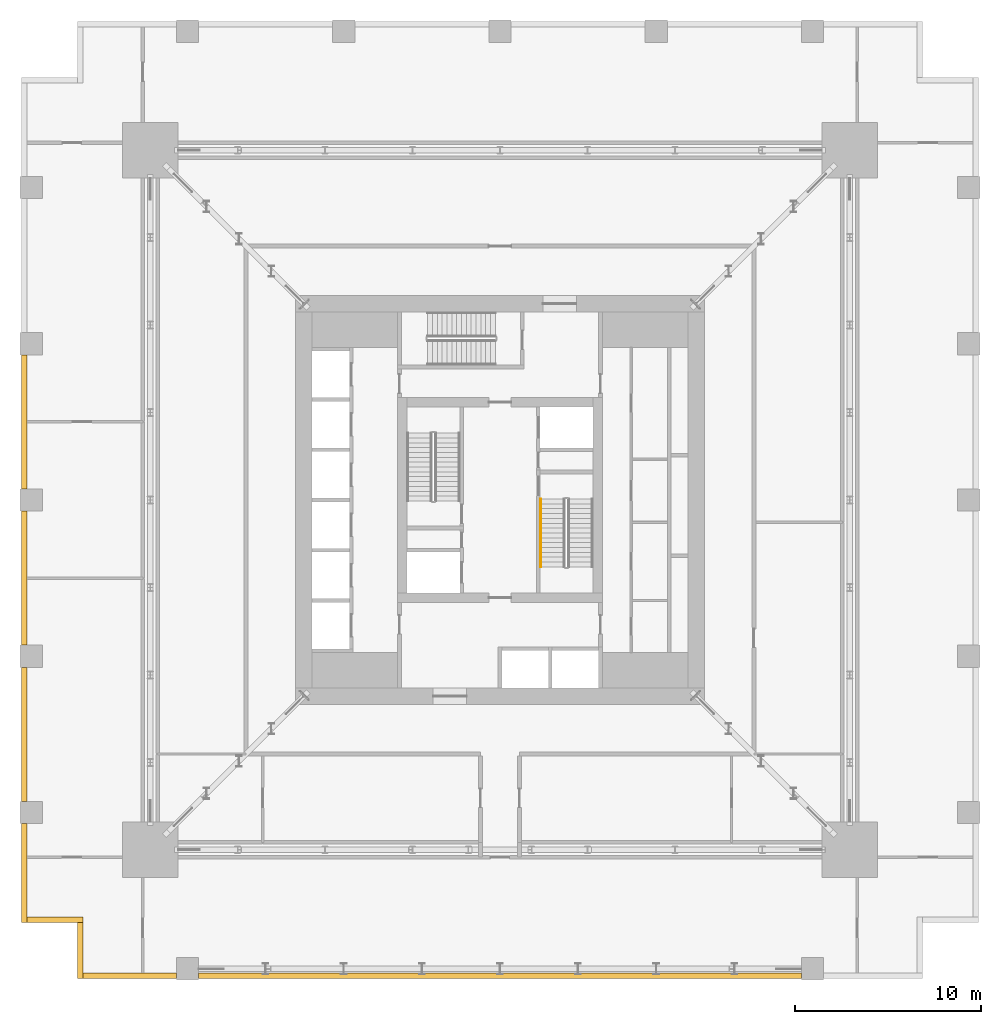
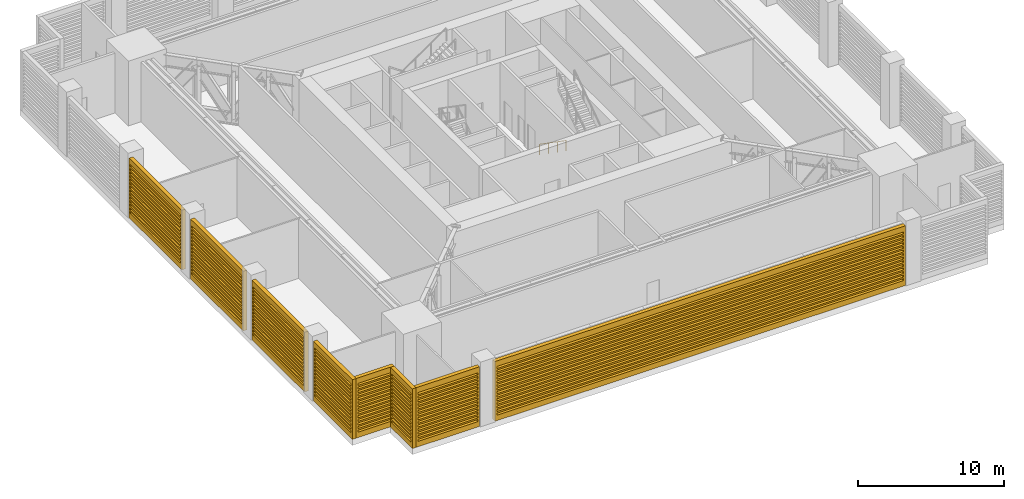
# One storey, part 13 of 17: 8 shading devices, 1 railing.
"""IFC4 building model written with IfcOpenShell, lengths in metres."""

from ifc_helpers import new_model, si_unit, direction, frame, origin, origin_2d, place, context, subcontext, project, spatial, polyline, rectangle, outline, extrude, material, type_object, element, save


model = new_model("IFC4")

# Units and contexts
model_context = context("Model", 3, precision=1e-05, world=origin(), true_north=direction((0.0, 1.0)))
body_context = subcontext(model_context, "Body", "Model", "MODEL_VIEW")
ifc_project = project(units=[si_unit("LENGTHUNIT", "METRE"), si_unit("AREAUNIT", "SQUARE_METRE"), si_unit("VOLUMEUNIT", "CUBIC_METRE"), si_unit("PLANEANGLEUNIT", "RADIAN"), si_unit("MASSUNIT", "GRAM", prefix="KILO")], contexts=[model_context])

# Site, building, storey
site_placement = place(None, origin())
site = spatial("IfcSite", under=ifc_project, at=site_placement, CompositionType="ELEMENT")
building_placement = place(site_placement, origin())
building = spatial("IfcBuilding", under=site, at=building_placement, Name="Khepri Terraces", CompositionType="ELEMENT")
storey_placement = place(building_placement, frame((0.0, 0.0, 73.800048828125)))
storey = spatial("IfcBuildingStorey", under=building, at=storey_placement, Name="L17", CompositionType="ELEMENT", Elevation=73.800048828125)

# Shading devices
ifc_material_1 = material(Name="Anodised aluminium bronze", Category="aluminium")
shading_device_type = type_object("IfcShadingDeviceType", Name="LVR-PLANT-300", PredefinedType="USERDEFINED", material=ifc_material_1)
shading_device_1_placement = place(storey_placement, frame((-25.419921875, 7.800048828125, 0.0), z_axis=(-1.0, 0.0, 0.0), x_axis=(0.0, -1.0, 0.0)))
element("IfcShadingDevice", 1, at=shading_device_1_placement, inside=storey, type_object=shading_device_type, Name="Louvre wall L17 W", ObjectType="LOUVRE", PredefinedType="USERDEFINED", context=body_context, shape_type="SweptSolid", body=[
    extrude(outline(polyline([(0.0, 0.0), (7.199951171875, 0.0), (7.199951171875, 4.97998046875), (0.0, 4.97998046875), (0.0, 0.0)]), holes=[polyline([(0.14990234375, 0.449951171875), (7.050048828125, 0.449951171875), (7.050048828125, 0.6201171875), (0.14990234375, 0.6201171875), (0.14990234375, 0.449951171875)]), polyline([(0.14990234375, 0.75), (7.050048828125, 0.75), (7.050048828125, 0.919921875), (0.14990234375, 0.919921875), (0.14990234375, 0.75)]), polyline([(0.14990234375, 1.050048828125), (7.050048828125, 1.050048828125), (7.050048828125, 1.219970703125), (0.14990234375, 1.219970703125), (0.14990234375, 1.050048828125)]), polyline([(0.14990234375, 1.35009765625), (7.050048828125, 1.35009765625), (7.050048828125, 1.52001953125), (0.14990234375, 1.52001953125), (0.14990234375, 1.35009765625)]), polyline([(0.14990234375, 1.64990234375), (7.050048828125, 1.64990234375), (7.050048828125, 1.820068359375), (0.14990234375, 1.820068359375), (0.14990234375, 1.64990234375)]), polyline([(0.14990234375, 1.949951171875), (7.050048828125, 1.949951171875), (7.050048828125, 2.1201171875), (0.14990234375, 2.1201171875), (0.14990234375, 1.949951171875)]), polyline([(0.14990234375, 2.25), (7.050048828125, 2.25), (7.050048828125, 2.419921875), (0.14990234375, 2.419921875), (0.14990234375, 2.25)]), polyline([(0.14990234375, 2.550048828125), (7.050048828125, 2.550048828125), (7.050048828125, 2.719970703125), (0.14990234375, 2.719970703125), (0.14990234375, 2.550048828125)]), polyline([(0.14990234375, 2.85009765625), (7.050048828125, 2.85009765625), (7.050048828125, 3.02001953125), (0.14990234375, 3.02001953125), (0.14990234375, 2.85009765625)]), polyline([(0.14990234375, 3.14990234375), (7.050048828125, 3.14990234375), (7.050048828125, 3.320068359375), (0.14990234375, 3.320068359375), (0.14990234375, 3.14990234375)]), polyline([(0.14990234375, 3.449951171875), (7.050048828125, 3.449951171875), (7.050048828125, 3.6201171875), (0.14990234375, 3.6201171875), (0.14990234375, 3.449951171875)]), polyline([(0.14990234375, 3.75), (7.050048828125, 3.75), (7.050048828125, 3.919921875), (0.14990234375, 3.919921875), (0.14990234375, 3.75)]), polyline([(0.14990234375, 4.050048828125), (7.050048828125, 4.050048828125), (7.050048828125, 4.219970703125), (0.14990234375, 4.219970703125), (0.14990234375, 4.050048828125)]), polyline([(0.14990234375, 4.35009765625), (7.050048828125, 4.35009765625), (7.050048828125, 4.52001953125), (0.14990234375, 4.52001953125), (0.14990234375, 4.35009765625)])]), origin(), (0.0, 0.0, 1.0), 0.300048828125),
])
shading_device_2_placement = place(storey_placement, frame((-25.419921875, -0.60009765625, 0.0), z_axis=(-1.0, 0.0, 0.0), x_axis=(0.0, -1.0, 0.0)))
element("IfcShadingDevice", 2, at=shading_device_2_placement, inside=storey, type_object=shading_device_type, Name="Louvre wall L17 W", ObjectType="LOUVRE", PredefinedType="USERDEFINED", context=body_context, shape_type="SweptSolid", body=[
    extrude(outline(polyline([(0.0, 0.0), (7.199951171875, 0.0), (7.199951171875, 4.97998046875), (0.0, 4.97998046875), (0.0, 0.0)]), holes=[polyline([(0.14990234375, 0.449951171875), (7.050048828125, 0.449951171875), (7.050048828125, 0.6201171875), (0.14990234375, 0.6201171875), (0.14990234375, 0.449951171875)]), polyline([(0.14990234375, 0.75), (7.050048828125, 0.75), (7.050048828125, 0.919921875), (0.14990234375, 0.919921875), (0.14990234375, 0.75)]), polyline([(0.14990234375, 1.050048828125), (7.050048828125, 1.050048828125), (7.050048828125, 1.219970703125), (0.14990234375, 1.219970703125), (0.14990234375, 1.050048828125)]), polyline([(0.14990234375, 1.35009765625), (7.050048828125, 1.35009765625), (7.050048828125, 1.52001953125), (0.14990234375, 1.52001953125), (0.14990234375, 1.35009765625)]), polyline([(0.14990234375, 1.64990234375), (7.050048828125, 1.64990234375), (7.050048828125, 1.820068359375), (0.14990234375, 1.820068359375), (0.14990234375, 1.64990234375)]), polyline([(0.14990234375, 1.949951171875), (7.050048828125, 1.949951171875), (7.050048828125, 2.1201171875), (0.14990234375, 2.1201171875), (0.14990234375, 1.949951171875)]), polyline([(0.14990234375, 2.25), (7.050048828125, 2.25), (7.050048828125, 2.419921875), (0.14990234375, 2.419921875), (0.14990234375, 2.25)]), polyline([(0.14990234375, 2.550048828125), (7.050048828125, 2.550048828125), (7.050048828125, 2.719970703125), (0.14990234375, 2.719970703125), (0.14990234375, 2.550048828125)]), polyline([(0.14990234375, 2.85009765625), (7.050048828125, 2.85009765625), (7.050048828125, 3.02001953125), (0.14990234375, 3.02001953125), (0.14990234375, 2.85009765625)]), polyline([(0.14990234375, 3.14990234375), (7.050048828125, 3.14990234375), (7.050048828125, 3.320068359375), (0.14990234375, 3.320068359375), (0.14990234375, 3.14990234375)]), polyline([(0.14990234375, 3.449951171875), (7.050048828125, 3.449951171875), (7.050048828125, 3.6201171875), (0.14990234375, 3.6201171875), (0.14990234375, 3.449951171875)]), polyline([(0.14990234375, 3.75), (7.050048828125, 3.75), (7.050048828125, 3.919921875), (0.14990234375, 3.919921875), (0.14990234375, 3.75)]), polyline([(0.14990234375, 4.050048828125), (7.050048828125, 4.050048828125), (7.050048828125, 4.219970703125), (0.14990234375, 4.219970703125), (0.14990234375, 4.050048828125)]), polyline([(0.14990234375, 4.35009765625), (7.050048828125, 4.35009765625), (7.050048828125, 4.52001953125), (0.14990234375, 4.52001953125), (0.14990234375, 4.35009765625)])]), origin(), (0.0, 0.0, 1.0), 0.300048828125),
])
shading_device_3_placement = place(storey_placement, frame((-25.419921875, -9.0, 0.0), z_axis=(-1.0, 0.0, 0.0), x_axis=(0.0, -1.0, 0.0)))
element("IfcShadingDevice", 3, at=shading_device_3_placement, inside=storey, type_object=shading_device_type, Name="Louvre wall L17 W", ObjectType="LOUVRE", PredefinedType="USERDEFINED", context=body_context, shape_type="SweptSolid", body=[
    extrude(outline(polyline([(0.0, 0.0), (7.199951171875, 0.0), (7.199951171875, 4.97998046875), (0.0, 4.97998046875), (0.0, 0.0)]), holes=[polyline([(0.14990234375, 0.449951171875), (7.050048828125, 0.449951171875), (7.050048828125, 0.6201171875), (0.14990234375, 0.6201171875), (0.14990234375, 0.449951171875)]), polyline([(0.14990234375, 0.75), (7.050048828125, 0.75), (7.050048828125, 0.919921875), (0.14990234375, 0.919921875), (0.14990234375, 0.75)]), polyline([(0.14990234375, 1.050048828125), (7.050048828125, 1.050048828125), (7.050048828125, 1.219970703125), (0.14990234375, 1.219970703125), (0.14990234375, 1.050048828125)]), polyline([(0.14990234375, 1.35009765625), (7.050048828125, 1.35009765625), (7.050048828125, 1.52001953125), (0.14990234375, 1.52001953125), (0.14990234375, 1.35009765625)]), polyline([(0.14990234375, 1.64990234375), (7.050048828125, 1.64990234375), (7.050048828125, 1.820068359375), (0.14990234375, 1.820068359375), (0.14990234375, 1.64990234375)]), polyline([(0.14990234375, 1.949951171875), (7.050048828125, 1.949951171875), (7.050048828125, 2.1201171875), (0.14990234375, 2.1201171875), (0.14990234375, 1.949951171875)]), polyline([(0.14990234375, 2.25), (7.050048828125, 2.25), (7.050048828125, 2.419921875), (0.14990234375, 2.419921875), (0.14990234375, 2.25)]), polyline([(0.14990234375, 2.550048828125), (7.050048828125, 2.550048828125), (7.050048828125, 2.719970703125), (0.14990234375, 2.719970703125), (0.14990234375, 2.550048828125)]), polyline([(0.14990234375, 2.85009765625), (7.050048828125, 2.85009765625), (7.050048828125, 3.02001953125), (0.14990234375, 3.02001953125), (0.14990234375, 2.85009765625)]), polyline([(0.14990234375, 3.14990234375), (7.050048828125, 3.14990234375), (7.050048828125, 3.320068359375), (0.14990234375, 3.320068359375), (0.14990234375, 3.14990234375)]), polyline([(0.14990234375, 3.449951171875), (7.050048828125, 3.449951171875), (7.050048828125, 3.6201171875), (0.14990234375, 3.6201171875), (0.14990234375, 3.449951171875)]), polyline([(0.14990234375, 3.75), (7.050048828125, 3.75), (7.050048828125, 3.919921875), (0.14990234375, 3.919921875), (0.14990234375, 3.75)]), polyline([(0.14990234375, 4.050048828125), (7.050048828125, 4.050048828125), (7.050048828125, 4.219970703125), (0.14990234375, 4.219970703125), (0.14990234375, 4.050048828125)]), polyline([(0.14990234375, 4.35009765625), (7.050048828125, 4.35009765625), (7.050048828125, 4.52001953125), (0.14990234375, 4.52001953125), (0.14990234375, 4.35009765625)])]), origin(), (0.0, 0.0, 1.0), 0.300048828125),
])
shading_device_4_placement = place(storey_placement, frame((-25.419921875, -17.39990234375, 0.0), z_axis=(-1.0, 0.0, 0.0), x_axis=(0.0, -1.0, 0.0)))
element("IfcShadingDevice", 4, at=shading_device_4_placement, inside=storey, type_object=shading_device_type, Name="Louvre wall L17 W", ObjectType="LOUVRE", PredefinedType="USERDEFINED", context=body_context, shape_type="SweptSolid", body=[
    extrude(outline(polyline([(0.0, 0.0), (5.320068359375, 0.0), (5.320068359375, 4.97998046875), (0.0, 4.97998046875), (0.0, 0.0)]), holes=[polyline([(0.14990234375, 0.449951171875), (5.169921875, 0.449951171875), (5.169921875, 0.6201171875), (0.14990234375, 0.6201171875), (0.14990234375, 0.449951171875)]), polyline([(0.14990234375, 0.75), (5.169921875, 0.75), (5.169921875, 0.919921875), (0.14990234375, 0.919921875), (0.14990234375, 0.75)]), polyline([(0.14990234375, 1.050048828125), (5.169921875, 1.050048828125), (5.169921875, 1.219970703125), (0.14990234375, 1.219970703125), (0.14990234375, 1.050048828125)]), polyline([(0.14990234375, 1.35009765625), (5.169921875, 1.35009765625), (5.169921875, 1.52001953125), (0.14990234375, 1.52001953125), (0.14990234375, 1.35009765625)]), polyline([(0.14990234375, 1.64990234375), (5.169921875, 1.64990234375), (5.169921875, 1.820068359375), (0.14990234375, 1.820068359375), (0.14990234375, 1.64990234375)]), polyline([(0.14990234375, 1.949951171875), (5.169921875, 1.949951171875), (5.169921875, 2.1201171875), (0.14990234375, 2.1201171875), (0.14990234375, 1.949951171875)]), polyline([(0.14990234375, 2.25), (5.169921875, 2.25), (5.169921875, 2.419921875), (0.14990234375, 2.419921875), (0.14990234375, 2.25)]), polyline([(0.14990234375, 2.550048828125), (5.169921875, 2.550048828125), (5.169921875, 2.719970703125), (0.14990234375, 2.719970703125), (0.14990234375, 2.550048828125)]), polyline([(0.14990234375, 2.85009765625), (5.169921875, 2.85009765625), (5.169921875, 3.02001953125), (0.14990234375, 3.02001953125), (0.14990234375, 2.85009765625)]), polyline([(0.14990234375, 3.14990234375), (5.169921875, 3.14990234375), (5.169921875, 3.320068359375), (0.14990234375, 3.320068359375), (0.14990234375, 3.14990234375)]), polyline([(0.14990234375, 3.449951171875), (5.169921875, 3.449951171875), (5.169921875, 3.6201171875), (0.14990234375, 3.6201171875), (0.14990234375, 3.449951171875)]), polyline([(0.14990234375, 3.75), (5.169921875, 3.75), (5.169921875, 3.919921875), (0.14990234375, 3.919921875), (0.14990234375, 3.75)]), polyline([(0.14990234375, 4.050048828125), (5.169921875, 4.050048828125), (5.169921875, 4.219970703125), (0.14990234375, 4.219970703125), (0.14990234375, 4.050048828125)]), polyline([(0.14990234375, 4.35009765625), (5.169921875, 4.35009765625), (5.169921875, 4.52001953125), (0.14990234375, 4.52001953125), (0.14990234375, 4.35009765625)])]), origin(), (0.0, 0.0, 1.0), 0.300048828125),
])
shading_device_5_placement = place(storey_placement, frame((-25.419921875, -22.419921875, 0.0), z_axis=(0.0, -1.0, 0.0), x_axis=(1.0, 0.0, 0.0)))
element("IfcShadingDevice", 5, at=shading_device_5_placement, inside=storey, type_object=shading_device_type, Name="Louvre wall L17 S", ObjectType="LOUVRE", PredefinedType="USERDEFINED", context=body_context, shape_type="SweptSolid", body=[
    extrude(outline(polyline([(0.0, 0.0), (3.0, 0.0), (3.0, 4.97998046875), (0.0, 4.97998046875), (0.0, 0.0)]), holes=[polyline([(0.14990234375, 0.449951171875), (2.85009765625, 0.449951171875), (2.85009765625, 0.6201171875), (0.14990234375, 0.6201171875), (0.14990234375, 0.449951171875)]), polyline([(0.14990234375, 0.75), (2.85009765625, 0.75), (2.85009765625, 0.919921875), (0.14990234375, 0.919921875), (0.14990234375, 0.75)]), polyline([(0.14990234375, 1.050048828125), (2.85009765625, 1.050048828125), (2.85009765625, 1.219970703125), (0.14990234375, 1.219970703125), (0.14990234375, 1.050048828125)]), polyline([(0.14990234375, 1.35009765625), (2.85009765625, 1.35009765625), (2.85009765625, 1.52001953125), (0.14990234375, 1.52001953125), (0.14990234375, 1.35009765625)]), polyline([(0.14990234375, 1.64990234375), (2.85009765625, 1.64990234375), (2.85009765625, 1.820068359375), (0.14990234375, 1.820068359375), (0.14990234375, 1.64990234375)]), polyline([(0.14990234375, 1.949951171875), (2.85009765625, 1.949951171875), (2.85009765625, 2.1201171875), (0.14990234375, 2.1201171875), (0.14990234375, 1.949951171875)]), polyline([(0.14990234375, 2.25), (2.85009765625, 2.25), (2.85009765625, 2.419921875), (0.14990234375, 2.419921875), (0.14990234375, 2.25)]), polyline([(0.14990234375, 2.550048828125), (2.85009765625, 2.550048828125), (2.85009765625, 2.719970703125), (0.14990234375, 2.719970703125), (0.14990234375, 2.550048828125)]), polyline([(0.14990234375, 2.85009765625), (2.85009765625, 2.85009765625), (2.85009765625, 3.02001953125), (0.14990234375, 3.02001953125), (0.14990234375, 2.85009765625)]), polyline([(0.14990234375, 3.14990234375), (2.85009765625, 3.14990234375), (2.85009765625, 3.320068359375), (0.14990234375, 3.320068359375), (0.14990234375, 3.14990234375)]), polyline([(0.14990234375, 3.449951171875), (2.85009765625, 3.449951171875), (2.85009765625, 3.6201171875), (0.14990234375, 3.6201171875), (0.14990234375, 3.449951171875)]), polyline([(0.14990234375, 3.75), (2.85009765625, 3.75), (2.85009765625, 3.919921875), (0.14990234375, 3.919921875), (0.14990234375, 3.75)]), polyline([(0.14990234375, 4.050048828125), (2.85009765625, 4.050048828125), (2.85009765625, 4.219970703125), (0.14990234375, 4.219970703125), (0.14990234375, 4.050048828125)]), polyline([(0.14990234375, 4.35009765625), (2.85009765625, 4.35009765625), (2.85009765625, 4.52001953125), (0.14990234375, 4.52001953125), (0.14990234375, 4.35009765625)])]), origin(), (0.0, 0.0, 1.0), 0.300048828125),
])
shading_device_6_placement = place(storey_placement, frame((-22.419921875, -22.719970703125, 0.0), z_axis=(-1.0, 0.0, 0.0), x_axis=(0.0, -1.0, 0.0)))
element("IfcShadingDevice", 6, at=shading_device_6_placement, inside=storey, type_object=shading_device_type, Name="Louvre wall L17 W", ObjectType="LOUVRE", PredefinedType="USERDEFINED", context=body_context, shape_type="SweptSolid", body=[
    extrude(outline(polyline([(0.0, 0.0), (3.0, 0.0), (3.0, 4.97998046875), (0.0, 4.97998046875), (0.0, 0.0)]), holes=[polyline([(0.14990234375, 0.449951171875), (2.85009765625, 0.449951171875), (2.85009765625, 0.6201171875), (0.14990234375, 0.6201171875), (0.14990234375, 0.449951171875)]), polyline([(0.14990234375, 0.75), (2.85009765625, 0.75), (2.85009765625, 0.919921875), (0.14990234375, 0.919921875), (0.14990234375, 0.75)]), polyline([(0.14990234375, 1.050048828125), (2.85009765625, 1.050048828125), (2.85009765625, 1.219970703125), (0.14990234375, 1.219970703125), (0.14990234375, 1.050048828125)]), polyline([(0.14990234375, 1.35009765625), (2.85009765625, 1.35009765625), (2.85009765625, 1.52001953125), (0.14990234375, 1.52001953125), (0.14990234375, 1.35009765625)]), polyline([(0.14990234375, 1.64990234375), (2.85009765625, 1.64990234375), (2.85009765625, 1.820068359375), (0.14990234375, 1.820068359375), (0.14990234375, 1.64990234375)]), polyline([(0.14990234375, 1.949951171875), (2.85009765625, 1.949951171875), (2.85009765625, 2.1201171875), (0.14990234375, 2.1201171875), (0.14990234375, 1.949951171875)]), polyline([(0.14990234375, 2.25), (2.85009765625, 2.25), (2.85009765625, 2.419921875), (0.14990234375, 2.419921875), (0.14990234375, 2.25)]), polyline([(0.14990234375, 2.550048828125), (2.85009765625, 2.550048828125), (2.85009765625, 2.719970703125), (0.14990234375, 2.719970703125), (0.14990234375, 2.550048828125)]), polyline([(0.14990234375, 2.85009765625), (2.85009765625, 2.85009765625), (2.85009765625, 3.02001953125), (0.14990234375, 3.02001953125), (0.14990234375, 2.85009765625)]), polyline([(0.14990234375, 3.14990234375), (2.85009765625, 3.14990234375), (2.85009765625, 3.320068359375), (0.14990234375, 3.320068359375), (0.14990234375, 3.14990234375)]), polyline([(0.14990234375, 3.449951171875), (2.85009765625, 3.449951171875), (2.85009765625, 3.6201171875), (0.14990234375, 3.6201171875), (0.14990234375, 3.449951171875)]), polyline([(0.14990234375, 3.75), (2.85009765625, 3.75), (2.85009765625, 3.919921875), (0.14990234375, 3.919921875), (0.14990234375, 3.75)]), polyline([(0.14990234375, 4.050048828125), (2.85009765625, 4.050048828125), (2.85009765625, 4.219970703125), (0.14990234375, 4.219970703125), (0.14990234375, 4.050048828125)]), polyline([(0.14990234375, 4.35009765625), (2.85009765625, 4.35009765625), (2.85009765625, 4.52001953125), (0.14990234375, 4.52001953125), (0.14990234375, 4.35009765625)])]), origin(), (0.0, 0.0, 1.0), 0.300048828125),
])
shading_device_7_placement = place(storey_placement, frame((-22.419921875, -25.419921875, 0.0), z_axis=(0.0, -1.0, 0.0), x_axis=(1.0, 0.0, 0.0)))
element("IfcShadingDevice", 7, at=shading_device_7_placement, inside=storey, type_object=shading_device_type, Name="Louvre wall L17 S", ObjectType="LOUVRE", PredefinedType="USERDEFINED", context=body_context, shape_type="SweptSolid", body=[
    extrude(outline(polyline([(0.0, 0.0), (5.02001953125, 0.0), (5.02001953125, 4.97998046875), (0.0, 4.97998046875), (0.0, 0.0)]), holes=[polyline([(0.14990234375, 0.449951171875), (4.8701171875, 0.449951171875), (4.8701171875, 0.6201171875), (0.14990234375, 0.6201171875), (0.14990234375, 0.449951171875)]), polyline([(0.14990234375, 0.75), (4.8701171875, 0.75), (4.8701171875, 0.919921875), (0.14990234375, 0.919921875), (0.14990234375, 0.75)]), polyline([(0.14990234375, 1.050048828125), (4.8701171875, 1.050048828125), (4.8701171875, 1.219970703125), (0.14990234375, 1.219970703125), (0.14990234375, 1.050048828125)]), polyline([(0.14990234375, 1.35009765625), (4.8701171875, 1.35009765625), (4.8701171875, 1.52001953125), (0.14990234375, 1.52001953125), (0.14990234375, 1.35009765625)]), polyline([(0.14990234375, 1.64990234375), (4.8701171875, 1.64990234375), (4.8701171875, 1.820068359375), (0.14990234375, 1.820068359375), (0.14990234375, 1.64990234375)]), polyline([(0.14990234375, 1.949951171875), (4.8701171875, 1.949951171875), (4.8701171875, 2.1201171875), (0.14990234375, 2.1201171875), (0.14990234375, 1.949951171875)]), polyline([(0.14990234375, 2.25), (4.8701171875, 2.25), (4.8701171875, 2.419921875), (0.14990234375, 2.419921875), (0.14990234375, 2.25)]), polyline([(0.14990234375, 2.550048828125), (4.8701171875, 2.550048828125), (4.8701171875, 2.719970703125), (0.14990234375, 2.719970703125), (0.14990234375, 2.550048828125)]), polyline([(0.14990234375, 2.85009765625), (4.8701171875, 2.85009765625), (4.8701171875, 3.02001953125), (0.14990234375, 3.02001953125), (0.14990234375, 2.85009765625)]), polyline([(0.14990234375, 3.14990234375), (4.8701171875, 3.14990234375), (4.8701171875, 3.320068359375), (0.14990234375, 3.320068359375), (0.14990234375, 3.14990234375)]), polyline([(0.14990234375, 3.449951171875), (4.8701171875, 3.449951171875), (4.8701171875, 3.6201171875), (0.14990234375, 3.6201171875), (0.14990234375, 3.449951171875)]), polyline([(0.14990234375, 3.75), (4.8701171875, 3.75), (4.8701171875, 3.919921875), (0.14990234375, 3.919921875), (0.14990234375, 3.75)]), polyline([(0.14990234375, 4.050048828125), (4.8701171875, 4.050048828125), (4.8701171875, 4.219970703125), (0.14990234375, 4.219970703125), (0.14990234375, 4.050048828125)]), polyline([(0.14990234375, 4.35009765625), (4.8701171875, 4.35009765625), (4.8701171875, 4.52001953125), (0.14990234375, 4.52001953125), (0.14990234375, 4.35009765625)])]), origin(), (0.0, 0.0, 1.0), 0.300048828125),
])
shading_device_8_placement = place(storey_placement, frame((-16.199951171875, -25.419921875, 0.0), z_axis=(0.0, -1.0, 0.0), x_axis=(1.0, 0.0, 0.0)))
element("IfcShadingDevice", 8, at=shading_device_8_placement, inside=storey, type_object=shading_device_type, Name="Louvre wall L17 S", ObjectType="LOUVRE", PredefinedType="USERDEFINED", context=body_context, shape_type="SweptSolid", body=[
    extrude(outline(polyline([(0.0, 0.0), (32.39990234375, 0.0), (32.39990234375, 4.97998046875), (0.0, 4.97998046875), (0.0, 0.0)]), holes=[polyline([(0.14990234375, 0.449951171875), (32.25, 0.449951171875), (32.25, 0.6201171875), (0.14990234375, 0.6201171875), (0.14990234375, 0.449951171875)]), polyline([(0.14990234375, 0.75), (32.25, 0.75), (32.25, 0.919921875), (0.14990234375, 0.919921875), (0.14990234375, 0.75)]), polyline([(0.14990234375, 1.050048828125), (32.25, 1.050048828125), (32.25, 1.219970703125), (0.14990234375, 1.219970703125), (0.14990234375, 1.050048828125)]), polyline([(0.14990234375, 1.35009765625), (32.25, 1.35009765625), (32.25, 1.52001953125), (0.14990234375, 1.52001953125), (0.14990234375, 1.35009765625)]), polyline([(0.14990234375, 1.64990234375), (32.25, 1.64990234375), (32.25, 1.820068359375), (0.14990234375, 1.820068359375), (0.14990234375, 1.64990234375)]), polyline([(0.14990234375, 1.949951171875), (32.25, 1.949951171875), (32.25, 2.1201171875), (0.14990234375, 2.1201171875), (0.14990234375, 1.949951171875)]), polyline([(0.14990234375, 2.25), (32.25, 2.25), (32.25, 2.419921875), (0.14990234375, 2.419921875), (0.14990234375, 2.25)]), polyline([(0.14990234375, 2.550048828125), (32.25, 2.550048828125), (32.25, 2.719970703125), (0.14990234375, 2.719970703125), (0.14990234375, 2.550048828125)]), polyline([(0.14990234375, 2.85009765625), (32.25, 2.85009765625), (32.25, 3.02001953125), (0.14990234375, 3.02001953125), (0.14990234375, 2.85009765625)]), polyline([(0.14990234375, 3.14990234375), (32.25, 3.14990234375), (32.25, 3.320068359375), (0.14990234375, 3.320068359375), (0.14990234375, 3.14990234375)]), polyline([(0.14990234375, 3.449951171875), (32.25, 3.449951171875), (32.25, 3.6201171875), (0.14990234375, 3.6201171875), (0.14990234375, 3.449951171875)]), polyline([(0.14990234375, 3.75), (32.25, 3.75), (32.25, 3.919921875), (0.14990234375, 3.919921875), (0.14990234375, 3.75)]), polyline([(0.14990234375, 4.050048828125), (32.25, 4.050048828125), (32.25, 4.219970703125), (0.14990234375, 4.219970703125), (0.14990234375, 4.050048828125)]), polyline([(0.14990234375, 4.35009765625), (32.25, 4.35009765625), (32.25, 4.52001953125), (0.14990234375, 4.52001953125), (0.14990234375, 4.35009765625)])]), origin(), (0.0, 0.0, 1.0), 0.300048828125),
])

# Railing
ifc_material_2 = material(Name="Stainless steel 316", Category="steel")
railing_type = type_object("IfcRailingType", Name="RL-CORE-HANDRAIL", PredefinedType="HANDRAIL", material=ifc_material_2)
railing_placement = place(storey_placement, frame((2.199951171875, 0.050048828125, 0.179931640625)))
element("IfcRailing", 9, at=railing_placement, inside=storey, type_object=railing_type, Name="L17 ST-2 stair handrail 1", PredefinedType="HANDRAIL", context=body_context, shape_type="SweptSolid", body=[
    extrude(rectangle(XDim=0.050048828125, YDim=0.050048828125, at=origin_2d()), frame((0.0, 0.0, 0.875), z_axis=(0.0, -0.82220013233, 0.56919850878), x_axis=(1.0, 0.0, 0.0)), (0.0, 0.0, 1.0), 4.42724609375),
    extrude(rectangle(XDim=0.050048828125, YDim=0.050048828125, at=origin_2d()), origin(), (0.0, 0.0, 1.0), 0.849853515625),
    extrude(rectangle(XDim=0.050048828125, YDim=0.050048828125, at=origin_2d()), frame((0.0, -1.21337890625, 0.840087890625)), (0.0, 0.0, 1.0), 0.849853515625),
    extrude(rectangle(XDim=0.050048828125, YDim=0.050048828125, at=origin_2d()), frame((0.0, -2.4267578125, 1.679931640625)), (0.0, 0.0, 1.0), 0.849853515625),
    extrude(rectangle(XDim=0.050048828125, YDim=0.050048828125, at=origin_2d()), frame((0.0, -3.64013671875, 2.52001953125)), (0.0, 0.0, 1.0), 0.849853515625),
])

save(model, "model.ifc")
